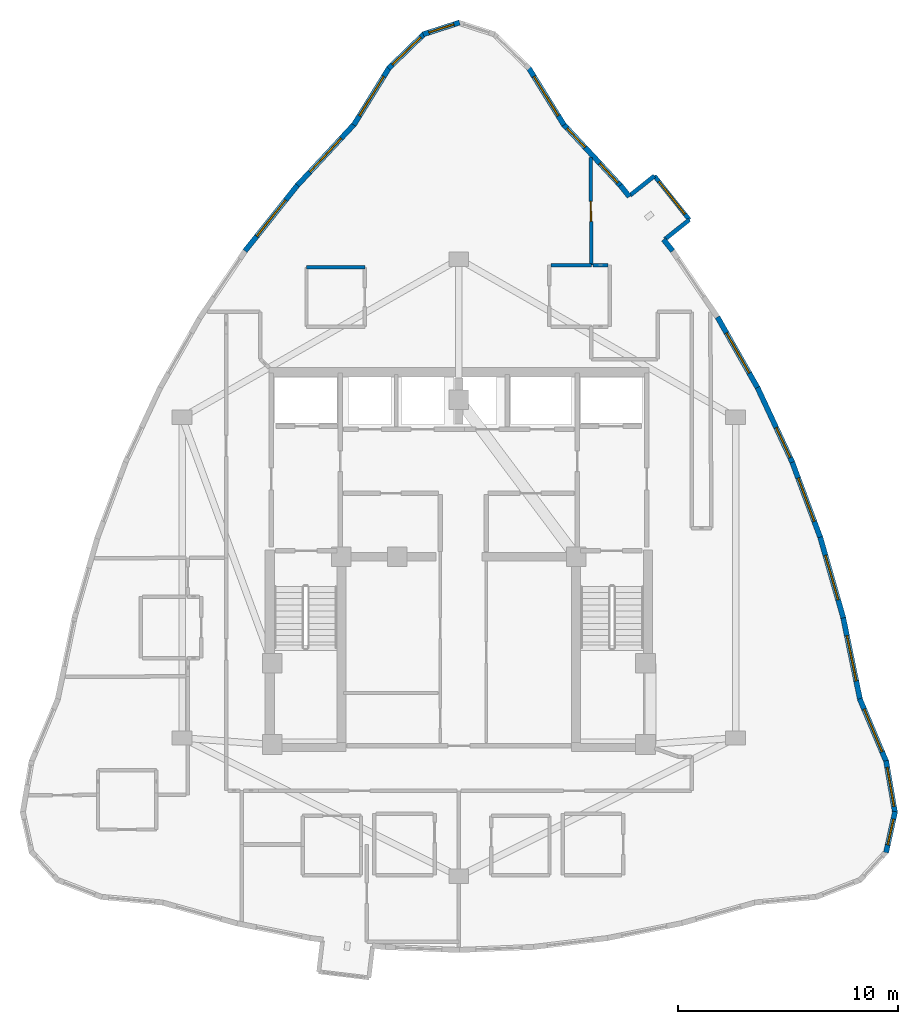
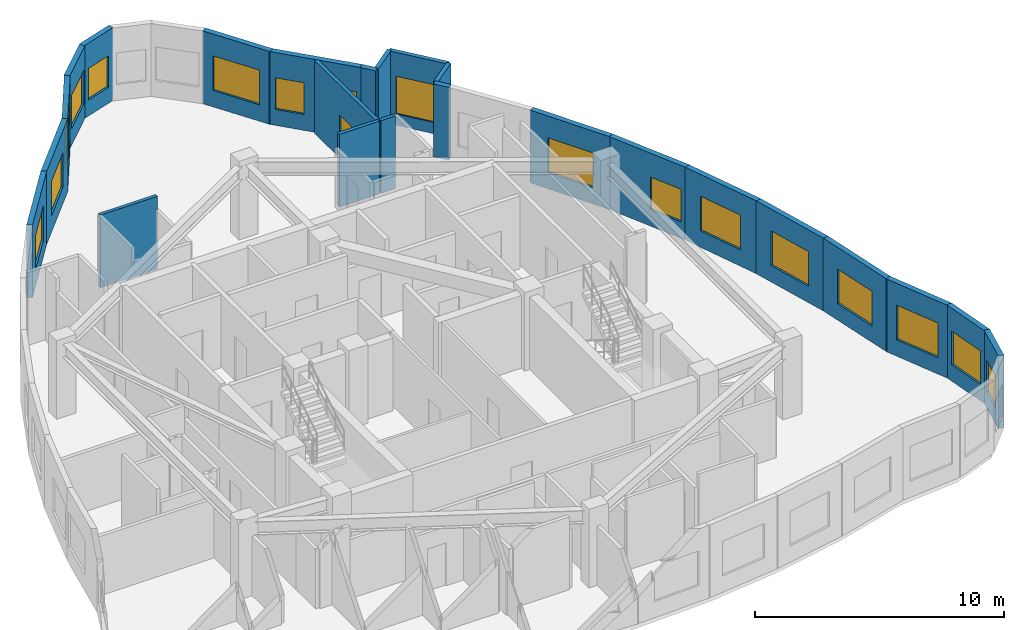
# One storey, part 11 of 13: 24 walls, 17 windows, 1 door, 18 openings.
"""IFC4 building model written with IfcOpenShell, lengths in metres."""

from ifc_helpers import new_model, si_unit, direction, frame, frame_2d, origin, place, context, subcontext, project, spatial, rectangle, extrude, material, layer, layer_set, type_object, element, fill, save


model = new_model("IFC4")

# Units and contexts
model_context = context("Model", 3, precision=1e-05, world=origin(), true_north=direction((0.0, 1.0)))
body_context = subcontext(model_context, "Body", "Model", "MODEL_VIEW")
ifc_project = project(units=[si_unit("LENGTHUNIT", "METRE"), si_unit("AREAUNIT", "SQUARE_METRE"), si_unit("VOLUMEUNIT", "CUBIC_METRE"), si_unit("PLANEANGLEUNIT", "RADIAN"), si_unit("MASSUNIT", "GRAM", prefix="KILO")], contexts=[model_context])

# Site, building, storey
site_placement = place(None, origin())
site = spatial("IfcSite", under=ifc_project, at=site_placement, CompositionType="ELEMENT")
building_placement = place(site_placement, origin())
building = spatial("IfcBuilding", under=site, at=building_placement, Name="Miruveldt Soraemaru", CompositionType="ELEMENT")
storey_placement = place(building_placement, frame((0.0, 0.0, 255.85009765625)))
storey = spatial("IfcBuildingStorey", under=building, at=storey_placement, Name="L70", CompositionType="ELEMENT", Elevation=255.85009765625)

# Walls
ifc_material_1 = material(Name="White powder-coated aluminium EN AW-6060 T6", Category="aluminium")
ifc_layer_1 = layer(ifc_material_1, 0.18994140625, Name="White powder-coated aluminium EN AW-6060 T6", Category="aluminium")
ifc_layer_set_1 = layer_set([ifc_layer_1], Name="White powder-coated aluminium EN AW-6060 T6")
wall_type_1 = type_object("IfcWallType", Name="WALL-BAY-ALU190", PredefinedType="SOLIDWALL", material=ifc_layer_set_1)
for number, where, z_axis, x_axis, name in (
    (1, (53.3828125, 58.5087890625, 0.0), (0.0, 0.0, 1.0), (0.781820714191, 0.623503304611, 0.0), "L70 Bay Window Side Cheek 2L"),
    (2, (52.904296875, 61.393798828125, 0.0), (0.0, 0.0, 1.0), (-0.781820714191, -0.623503304611, 0.0), "L70 Bay Window Side Cheek 2R"),
):
    element("IfcWall", number, at=place(storey_placement, frame(where, z_axis=z_axis, x_axis=x_axis)), inside=storey, type_object=wall_type_1, Name=name, PredefinedType="SOLIDWALL", context=body_context, shape_type="SweptSolid", body=[
        extrude(rectangle(XDim=1.4248046875, YDim=0.18994140625, at=frame_2d((0.71240234375, 0.0))), origin(), (0.0, 0.0, 1.0), 3.56494140625),
    ])

# Wall, opening, window
wall_1_placement = place(storey_placement, frame((54.496826171875, 59.397216796875, 0.0), z_axis=(0.0, 0.0, 1.0), x_axis=(-0.623563578344, 0.781772641989, 0.0)))
wall_1 = element("IfcWall", 3, at=wall_1_placement, inside=storey, type_object=wall_type_1, Name="L70 Bay Window Front Frame 2", PredefinedType="SOLIDWALL", context=body_context, shape_type="SweptSolid", body=[
    extrude(rectangle(XDim=2.553955078125, YDim=0.18994140625, at=frame_2d((1.27685546875, 0.0))), origin(), (0.0, 0.0, 1.0), 3.56494140625),
])
opening_1_placement = place(wall_1_placement, frame((0.326904296875, 0.0, 0.550048828125)))
opening_1 = element("IfcOpeningElement", 4, at=opening_1_placement, cuts=wall_1, Name="Opening WN-6", PredefinedType="OPENING", context=body_context, shape_type="SweptSolid", body=[
    extrude(rectangle(XDim=1.89990234375, YDim=1.85009765625, at=frame_2d((0.949951171875, 0.925048828125))), frame((0.0, 0.10498046875, 0.0), z_axis=(0.0, -1.0, 0.0), x_axis=(1.0, 0.0, 0.0)), (0.0, 0.0, 1.0), 0.2099609375),
])
ifc_material_2 = material(Name="Triple low-e insulated glazing", Category="glass")
window_type_1 = type_object("IfcWindowType", Name="WIN-BAYW-1900x1850", PartitioningType="SINGLE_PANEL", PredefinedType="WINDOW", material=ifc_material_2)
window_1_placement = place(opening_1_placement, origin())
window_1 = element("IfcWindow", 5, at=window_1_placement, inside=storey, type_object=window_type_1, Name="L70 Projecting Bay Window 2", OverallHeight=1.85009765625, OverallWidth=1.89990234375, PartitioningType="SINGLE_PANEL", PredefinedType="WINDOW", context=body_context, shape_type="SweptSolid", body=[
    extrude(rectangle(XDim=1.89990234375, YDim=1.85009765625, at=frame_2d((0.949951171875, 0.925048828125))), frame((0.0, 0.030029296875, 0.0), z_axis=(0.0, -1.0, 0.0), x_axis=(1.0, 0.0, 0.0)), (0.0, 0.0, 1.0), 0.06005859375),
])
fill(opening_1, window_1)

ifc_material_3 = material(Name="Precast concrete C45/55 (45 MPa)", Category="concrete")
ifc_layer_2 = layer(ifc_material_3, 0.239990234375, Name="Precast concrete C45/55 (45 MPa)", Category="concrete")
ifc_layer_set_2 = layer_set([ifc_layer_2], Name="Precast concrete C45/55 (45 MPa)")
wall_type_2 = type_object("IfcWallType", Name="WALL-EXT-PC240", PredefinedType="SOLIDWALL", material=ifc_layer_set_2)
wall_2_placement = place(storey_placement, frame((48.786865234375, 63.7119140625, 0.0), z_axis=(0.0, 0.0, 1.0), x_axis=(-0.52607453674, 0.850438464437, 0.0)))
wall_2 = element("IfcWall", 6, at=wall_2_placement, inside=storey, type_object=wall_type_2, Name="L70 Precast Concrete Facade Wall 1", PredefinedType="SOLIDWALL", context=body_context, shape_type="SweptSolid", body=[
    extrude(rectangle(XDim=3.09130859375, YDim=0.239990234375, at=frame_2d((1.545654296875, 0.0))), origin(), (0.0, 0.0, 1.0), 3.56494140625),
])
opening_2_placement = place(wall_2_placement, frame((0.49609375, 0.0, 0.800048828125)))
opening_2 = element("IfcOpeningElement", 7, at=opening_2_placement, cuts=wall_2, Name="Opening WN-1", PredefinedType="OPENING", context=body_context, shape_type="SweptSolid", body=[
    extrude(rectangle(XDim=2.10009765625, YDim=1.699951171875, at=frame_2d((1.050048828125, 0.85009765625))), frame((0.0, 0.1298828125, 0.0), z_axis=(0.0, -1.0, 0.0), x_axis=(1.0, 0.0, 0.0)), (0.0, 0.0, 1.0), 0.260009765625),
])
window_type_2 = type_object("IfcWindowType", Name="WIN-PUNCH-2100x1700", PartitioningType="SINGLE_PANEL", PredefinedType="WINDOW", material=ifc_material_2)
window_2_placement = place(opening_2_placement, origin())
window_2 = element("IfcWindow", 8, at=window_2_placement, inside=storey, type_object=window_type_2, Name="L70 Punched Triple-Glazed Window 01.1", OverallHeight=1.699951171875, OverallWidth=2.10009765625, PartitioningType="SINGLE_PANEL", PredefinedType="WINDOW", context=body_context, shape_type="SweptSolid", body=[
    extrude(rectangle(XDim=2.10009765625, YDim=1.699951171875, at=frame_2d((1.050048828125, 0.85009765625))), frame((0.0, 0.030029296875, 0.0), z_axis=(0.0, -1.0, 0.0), x_axis=(1.0, 0.0, 0.0)), (0.0, 0.0, 1.0), 0.06005859375),
])
fill(opening_2, window_2)

wall_3_placement = place(storey_placement, frame((44.033203125, 68.377685546875, 0.0), z_axis=(0.0, 0.0, 1.0), x_axis=(-0.951465057443, -0.307756794343, 0.0)))
wall_3 = element("IfcWall", 9, at=wall_3_placement, inside=storey, type_object=wall_type_2, Name="L70 Precast Concrete Facade Wall 4", PredefinedType="SOLIDWALL", context=body_context, shape_type="SweptSolid", body=[
    extrude(rectangle(XDim=1.740478515625, YDim=0.239990234375, at=frame_2d((0.8701171875, 0.0))), origin(), (0.0, 0.0, 1.0), 3.56494140625),
])
opening_3_placement = place(wall_3_placement, frame((0.27001953125, 0.0, 0.780029296875)))
opening_3 = element("IfcOpeningElement", 10, at=opening_3_placement, cuts=wall_3, Name="Opening WN-4", PredefinedType="OPENING", context=body_context, shape_type="SweptSolid", body=[
    extrude(rectangle(XDim=1.199951171875, YDim=1.550048828125, at=frame_2d((0.60009765625, 0.77490234375))), frame((0.0, 0.1298828125, 0.0), z_axis=(0.0, -1.0, 0.0), x_axis=(1.0, 0.0, 0.0)), (0.0, 0.0, 1.0), 0.260009765625),
])
window_type_3 = type_object("IfcWindowType", Name="WIN-PUNCH-1200x1550", PartitioningType="SINGLE_PANEL", PredefinedType="WINDOW", material=ifc_material_2)
window_3_placement = place(opening_3_placement, origin())
window_3 = element("IfcWindow", 11, at=window_3_placement, inside=storey, type_object=window_type_3, Name="L70 Punched Triple-Glazed Window 04.1", OverallHeight=1.550048828125, OverallWidth=1.199951171875, PartitioningType="SINGLE_PANEL", PredefinedType="WINDOW", context=body_context, shape_type="SweptSolid", body=[
    extrude(rectangle(XDim=1.199951171875, YDim=1.550048828125, at=frame_2d((0.60009765625, 0.77490234375))), frame((0.0, 0.030029296875, 0.0), z_axis=(0.0, -1.0, 0.0), x_axis=(1.0, 0.0, 0.0)), (0.0, 0.0, 1.0), 0.06005859375),
])
fill(opening_3, window_3)

wall_4_placement = place(storey_placement, frame((42.435546875, 67.877197265625, 0.0), z_axis=(0.0, 0.0, 1.0), x_axis=(-0.717766041492, -0.696284359785, 0.0)))
wall_4 = element("IfcWall", 12, at=wall_4_placement, inside=storey, type_object=wall_type_2, Name="L70 Precast Concrete Facade Wall 5", PredefinedType="SOLIDWALL", context=body_context, shape_type="SweptSolid", body=[
    extrude(rectangle(XDim=2.284423828125, YDim=0.239990234375, at=frame_2d((1.14208984375, 0.0))), origin(), (0.0, 0.0, 1.0), 3.56494140625),
])
opening_4_placement = place(wall_4_placement, frame((0.241943359375, 0.0, 0.800048828125)))
opening_4 = element("IfcOpeningElement", 13, at=opening_4_placement, cuts=wall_4, Name="Opening WN-2", PredefinedType="OPENING", context=body_context, shape_type="SweptSolid", body=[
    extrude(rectangle(XDim=1.800048828125, YDim=1.64990234375, at=frame_2d((0.89990234375, 0.824951171875))), frame((0.0, 0.1298828125, 0.0), z_axis=(0.0, -1.0, 0.0), x_axis=(1.0, 0.0, 0.0)), (0.0, 0.0, 1.0), 0.260009765625),
])
window_type_4 = type_object("IfcWindowType", Name="WIN-PUNCH-1800x1650", PartitioningType="SINGLE_PANEL", PredefinedType="WINDOW", material=ifc_material_2)
window_4_placement = place(opening_4_placement, origin())
window_4 = element("IfcWindow", 14, at=window_4_placement, inside=storey, type_object=window_type_4, Name="L70 Punched Triple-Glazed Window 05.1", OverallHeight=1.64990234375, OverallWidth=1.800048828125, PartitioningType="SINGLE_PANEL", PredefinedType="WINDOW", context=body_context, shape_type="SweptSolid", body=[
    extrude(rectangle(XDim=1.800048828125, YDim=1.64990234375, at=frame_2d((0.89990234375, 0.824951171875))), frame((0.0, 0.030029296875, 0.0), z_axis=(0.0, -1.0, 0.0), x_axis=(1.0, 0.0, 0.0)), (0.0, 0.0, 1.0), 0.06005859375),
])
fill(opening_4, window_4)

wall_5_placement = place(storey_placement, frame((40.83935546875, 66.3408203125, 0.0), z_axis=(0.0, 0.0, 1.0), x_axis=(-0.52607453674, -0.850438464437, 0.0)))
wall_5 = element("IfcWall", 15, at=wall_5_placement, inside=storey, type_object=wall_type_2, Name="L70 Precast Concrete Facade Wall 6", PredefinedType="SOLIDWALL", context=body_context, shape_type="SweptSolid", body=[
    extrude(rectangle(XDim=3.09130859375, YDim=0.239990234375, at=frame_2d((1.545654296875, 0.0))), origin(), (0.0, 0.0, 1.0), 3.56494140625),
])
opening_5_placement = place(wall_5_placement, frame((0.49609375, 0.0, 0.800048828125)))
opening_5 = element("IfcOpeningElement", 16, at=opening_5_placement, cuts=wall_5, Name="Opening WN-1", PredefinedType="OPENING", context=body_context, shape_type="SweptSolid", body=[
    extrude(rectangle(XDim=2.10009765625, YDim=1.699951171875, at=frame_2d((1.050048828125, 0.85009765625))), frame((0.0, 0.1298828125, 0.0), z_axis=(0.0, -1.0, 0.0), x_axis=(1.0, 0.0, 0.0)), (0.0, 0.0, 1.0), 0.260009765625),
])
window_5_placement = place(opening_5_placement, origin())
window_5 = element("IfcWindow", 17, at=window_5_placement, inside=storey, type_object=window_type_2, Name="L70 Punched Triple-Glazed Window 06.1", OverallHeight=1.699951171875, OverallWidth=2.10009765625, PartitioningType="SINGLE_PANEL", PredefinedType="WINDOW", context=body_context, shape_type="SweptSolid", body=[
    extrude(rectangle(XDim=2.10009765625, YDim=1.699951171875, at=frame_2d((1.050048828125, 0.85009765625))), frame((0.0, 0.030029296875, 0.0), z_axis=(0.0, -1.0, 0.0), x_axis=(1.0, 0.0, 0.0)), (0.0, 0.0, 1.0), 0.06005859375),
])
fill(opening_5, window_5)

wall_6_placement = place(storey_placement, frame((39.25537109375, 63.76708984375, 0.0), z_axis=(0.0, 0.0, 1.0), x_axis=(-0.68090304279, -0.732373570194, 0.0)))
wall_6 = element("IfcWall", 18, at=wall_6_placement, inside=storey, type_object=wall_type_2, Name="L70 Precast Concrete Facade Wall 7", PredefinedType="SOLIDWALL", context=body_context, shape_type="SweptSolid", body=[
    extrude(rectangle(XDim=3.894287109375, YDim=0.239990234375, at=frame_2d((1.947265625, 0.0))), origin(), (0.0, 0.0, 1.0), 3.56494140625),
])
opening_6_placement = place(wall_6_placement, frame((0.89697265625, 0.0, 0.800048828125)))
opening_6 = element("IfcOpeningElement", 19, at=opening_6_placement, cuts=wall_6, Name="Opening WN-1", PredefinedType="OPENING", context=body_context, shape_type="SweptSolid", body=[
    extrude(rectangle(XDim=2.10009765625, YDim=1.699951171875, at=frame_2d((1.050048828125, 0.85009765625))), frame((0.0, 0.1298828125, 0.0), z_axis=(0.0, -1.0, 0.0), x_axis=(1.0, 0.0, 0.0)), (0.0, 0.0, 1.0), 0.260009765625),
])
window_6_placement = place(opening_6_placement, origin())
window_6 = element("IfcWindow", 20, at=window_6_placement, inside=storey, type_object=window_type_2, Name="L70 Punched Triple-Glazed Window 07.1", OverallHeight=1.699951171875, OverallWidth=2.10009765625, PartitioningType="SINGLE_PANEL", PredefinedType="WINDOW", context=body_context, shape_type="SweptSolid", body=[
    extrude(rectangle(XDim=2.10009765625, YDim=1.699951171875, at=frame_2d((1.050048828125, 0.85009765625))), frame((0.0, 0.030029296875, 0.0), z_axis=(0.0, -1.0, 0.0), x_axis=(1.0, 0.0, 0.0)), (0.0, 0.0, 1.0), 0.06005859375),
])
fill(opening_6, window_6)

wall_7_placement = place(storey_placement, frame((36.6494140625, 60.968017578125, 0.0), z_axis=(0.0, 0.0, 1.0), x_axis=(-0.623604906823, -0.781739675459, 0.0)))
wall_7 = element("IfcWall", 21, at=wall_7_placement, inside=storey, type_object=wall_type_2, Name="L70 Precast Concrete Facade Wall 8", PredefinedType="SOLIDWALL", context=body_context, shape_type="SweptSolid", body=[
    extrude(rectangle(XDim=3.82568359375, YDim=0.239990234375, at=frame_2d((1.912841796875, 0.0))), origin(), (0.0, 0.0, 1.0), 3.56494140625),
])
opening_7_placement = place(wall_7_placement, frame((0.863037109375, 0.0, 0.800048828125)))
opening_7 = element("IfcOpeningElement", 22, at=opening_7_placement, cuts=wall_7, Name="Opening WN-1", PredefinedType="OPENING", context=body_context, shape_type="SweptSolid", body=[
    extrude(rectangle(XDim=2.10009765625, YDim=1.699951171875, at=frame_2d((1.050048828125, 0.85009765625))), frame((0.0, 0.1298828125, 0.0), z_axis=(0.0, -1.0, 0.0), x_axis=(1.0, 0.0, 0.0)), (0.0, 0.0, 1.0), 0.260009765625),
])
window_7_placement = place(opening_7_placement, origin())
window_7 = element("IfcWindow", 23, at=window_7_placement, inside=storey, type_object=window_type_2, Name="L70 Punched Triple-Glazed Window 08.1", OverallHeight=1.699951171875, OverallWidth=2.10009765625, PartitioningType="SINGLE_PANEL", PredefinedType="WINDOW", context=body_context, shape_type="SweptSolid", body=[
    extrude(rectangle(XDim=2.10009765625, YDim=1.699951171875, at=frame_2d((1.050048828125, 0.85009765625))), frame((0.0, 0.030029296875, 0.0), z_axis=(0.0, -1.0, 0.0), x_axis=(1.0, 0.0, 0.0)), (0.0, 0.0, 1.0), 0.06005859375),
])
fill(opening_7, window_7)

wall_8_placement = place(storey_placement, frame((63.452392578125, 30.58251953125, 0.0), z_axis=(0.0, 0.0, 1.0), x_axis=(0.215794628874, 0.976438773374, 0.0)))
wall_8 = element("IfcWall", 24, at=wall_8_placement, inside=storey, type_object=wall_type_2, Name="L70 Precast Concrete Facade Wall 32", PredefinedType="SOLIDWALL", context=body_context, shape_type="SweptSolid", body=[
    extrude(rectangle(XDim=1.912109375, YDim=0.239990234375, at=frame_2d((0.9560546875, 0.0))), origin(), (0.0, 0.0, 1.0), 3.56494140625),
])
opening_8_placement = place(wall_8_placement, frame((0.35595703125, 0.0, 0.780029296875)))
opening_8 = element("IfcOpeningElement", 25, at=opening_8_placement, cuts=wall_8, Name="Opening WN-4", PredefinedType="OPENING", context=body_context, shape_type="SweptSolid", body=[
    extrude(rectangle(XDim=1.199951171875, YDim=1.550048828125, at=frame_2d((0.60009765625, 0.77490234375))), frame((0.0, 0.1298828125, 0.0), z_axis=(0.0, -1.0, 0.0), x_axis=(1.0, 0.0, 0.0)), (0.0, 0.0, 1.0), 0.260009765625),
])
window_8_placement = place(opening_8_placement, origin())
window_8 = element("IfcWindow", 26, at=window_8_placement, inside=storey, type_object=window_type_3, Name="L70 Punched Triple-Glazed Window 32.1", OverallHeight=1.550048828125, OverallWidth=1.199951171875, PartitioningType="SINGLE_PANEL", PredefinedType="WINDOW", context=body_context, shape_type="SweptSolid", body=[
    extrude(rectangle(XDim=1.199951171875, YDim=1.550048828125, at=frame_2d((0.60009765625, 0.77490234375))), frame((0.0, 0.030029296875, 0.0), z_axis=(0.0, -1.0, 0.0), x_axis=(1.0, 0.0, 0.0)), (0.0, 0.0, 1.0), 0.06005859375),
])
fill(opening_8, window_8)

wall_9_placement = place(storey_placement, frame((63.86328125, 32.380859375, 0.0), z_axis=(0.0, 0.0, 1.0), x_axis=(-0.169328349246, 0.98555969385, 0.0)))
wall_9 = element("IfcWall", 27, at=wall_9_placement, inside=storey, type_object=wall_type_2, Name="L70 Precast Concrete Facade Wall 33", PredefinedType="SOLIDWALL", context=body_context, shape_type="SweptSolid", body=[
    extrude(rectangle(XDim=2.41650390625, YDim=0.239990234375, at=frame_2d((1.208251953125, 0.0))), origin(), (0.0, 0.0, 1.0), 3.56494140625),
])
opening_9_placement = place(wall_9_placement, frame((0.30810546875, 0.0, 0.800048828125)))
opening_9 = element("IfcOpeningElement", 28, at=opening_9_placement, cuts=wall_9, Name="Opening WN-2", PredefinedType="OPENING", context=body_context, shape_type="SweptSolid", body=[
    extrude(rectangle(XDim=1.800048828125, YDim=1.64990234375, at=frame_2d((0.89990234375, 0.824951171875))), frame((0.0, 0.1298828125, 0.0), z_axis=(0.0, -1.0, 0.0), x_axis=(1.0, 0.0, 0.0)), (0.0, 0.0, 1.0), 0.260009765625),
])
window_9_placement = place(opening_9_placement, origin())
window_9 = element("IfcWindow", 29, at=window_9_placement, inside=storey, type_object=window_type_4, Name="L70 Punched Triple-Glazed Window 33.1", OverallHeight=1.64990234375, OverallWidth=1.800048828125, PartitioningType="SINGLE_PANEL", PredefinedType="WINDOW", context=body_context, shape_type="SweptSolid", body=[
    extrude(rectangle(XDim=1.800048828125, YDim=1.64990234375, at=frame_2d((0.89990234375, 0.824951171875))), frame((0.0, 0.030029296875, 0.0), z_axis=(0.0, -1.0, 0.0), x_axis=(1.0, 0.0, 0.0)), (0.0, 0.0, 1.0), 0.06005859375),
])
fill(opening_9, window_9)

wall_10_placement = place(storey_placement, frame((63.473388671875, 34.69580078125, 0.0), z_axis=(0.0, 0.0, 1.0), x_axis=(-0.388606577421, 0.921403781187, 0.0)))
wall_10 = element("IfcWall", 30, at=wall_10_placement, inside=storey, type_object=wall_type_2, Name="L70 Precast Concrete Facade Wall 34", PredefinedType="SOLIDWALL", context=body_context, shape_type="SweptSolid", body=[
    extrude(rectangle(XDim=3.137451171875, YDim=0.239990234375, at=frame_2d((1.56884765625, 0.0))), origin(), (0.0, 0.0, 1.0), 3.56494140625),
])
opening_10_placement = place(wall_10_placement, frame((0.51904296875, 0.0, 0.800048828125)))
opening_10 = element("IfcOpeningElement", 31, at=opening_10_placement, cuts=wall_10, Name="Opening WN-1", PredefinedType="OPENING", context=body_context, shape_type="SweptSolid", body=[
    extrude(rectangle(XDim=2.10009765625, YDim=1.699951171875, at=frame_2d((1.050048828125, 0.85009765625))), frame((0.0, 0.1298828125, 0.0), z_axis=(0.0, -1.0, 0.0), x_axis=(1.0, 0.0, 0.0)), (0.0, 0.0, 1.0), 0.260009765625),
])
window_10_placement = place(opening_10_placement, origin())
window_10 = element("IfcWindow", 32, at=window_10_placement, inside=storey, type_object=window_type_2, Name="L70 Punched Triple-Glazed Window 34.1", OverallHeight=1.699951171875, OverallWidth=2.10009765625, PartitioningType="SINGLE_PANEL", PredefinedType="WINDOW", context=body_context, shape_type="SweptSolid", body=[
    extrude(rectangle(XDim=2.10009765625, YDim=1.699951171875, at=frame_2d((1.050048828125, 0.85009765625))), frame((0.0, 0.030029296875, 0.0), z_axis=(0.0, -1.0, 0.0), x_axis=(1.0, 0.0, 0.0)), (0.0, 0.0, 1.0), 0.06005859375),
])
fill(opening_10, window_10)

wall_11_placement = place(storey_placement, frame((62.27490234375, 37.52001953125, 0.0), z_axis=(0.0, 0.0, 1.0), x_axis=(-0.201598089636, 0.979468330399, 0.0)))
wall_11 = element("IfcWall", 33, at=wall_11_placement, inside=storey, type_object=wall_type_2, Name="L70 Precast Concrete Facade Wall 35", PredefinedType="SOLIDWALL", context=body_context, shape_type="SweptSolid", body=[
    extrude(rectangle(XDim=3.894775390625, YDim=0.239990234375, at=frame_2d((1.947265625, 0.0))), origin(), (0.0, 0.0, 1.0), 3.56494140625),
])
opening_11_placement = place(wall_11_placement, frame((0.89697265625, 0.0, 0.800048828125)))
opening_11 = element("IfcOpeningElement", 34, at=opening_11_placement, cuts=wall_11, Name="Opening WN-1", PredefinedType="OPENING", context=body_context, shape_type="SweptSolid", body=[
    extrude(rectangle(XDim=2.10009765625, YDim=1.699951171875, at=frame_2d((1.050048828125, 0.85009765625))), frame((0.0, 0.1298828125, 0.0), z_axis=(0.0, -1.0, 0.0), x_axis=(1.0, 0.0, 0.0)), (0.0, 0.0, 1.0), 0.260009765625),
])
window_11_placement = place(opening_11_placement, origin())
window_11 = element("IfcWindow", 35, at=window_11_placement, inside=storey, type_object=window_type_2, Name="L70 Punched Triple-Glazed Window 35.1", OverallHeight=1.699951171875, OverallWidth=2.10009765625, PartitioningType="SINGLE_PANEL", PredefinedType="WINDOW", context=body_context, shape_type="SweptSolid", body=[
    extrude(rectangle(XDim=2.10009765625, YDim=1.699951171875, at=frame_2d((1.050048828125, 0.85009765625))), frame((0.0, 0.030029296875, 0.0), z_axis=(0.0, -1.0, 0.0), x_axis=(1.0, 0.0, 0.0)), (0.0, 0.0, 1.0), 0.06005859375),
])
fill(opening_11, window_11)

wall_12_placement = place(storey_placement, frame((61.506591796875, 41.2666015625, 0.0), z_axis=(0.0, 0.0, 1.0), x_axis=(-0.274982401426, 0.961449259663, 0.0)))
wall_12 = element("IfcWall", 36, at=wall_12_placement, inside=storey, type_object=wall_type_2, Name="L70 Precast Concrete Facade Wall 36", PredefinedType="SOLIDWALL", context=body_context, shape_type="SweptSolid", body=[
    extrude(rectangle(XDim=3.82568359375, YDim=0.239990234375, at=frame_2d((1.912841796875, 0.0))), origin(), (0.0, 0.0, 1.0), 3.56494140625),
])
opening_12_placement = place(wall_12_placement, frame((0.863037109375, 0.0, 0.800048828125)))
opening_12 = element("IfcOpeningElement", 37, at=opening_12_placement, cuts=wall_12, Name="Opening WN-1", PredefinedType="OPENING", context=body_context, shape_type="SweptSolid", body=[
    extrude(rectangle(XDim=2.10009765625, YDim=1.699951171875, at=frame_2d((1.050048828125, 0.85009765625))), frame((0.0, 0.1298828125, 0.0), z_axis=(0.0, -1.0, 0.0), x_axis=(1.0, 0.0, 0.0)), (0.0, 0.0, 1.0), 0.260009765625),
])
window_12_placement = place(opening_12_placement, origin())
window_12 = element("IfcWindow", 38, at=window_12_placement, inside=storey, type_object=window_type_2, Name="L70 Punched Triple-Glazed Window 36.1", OverallHeight=1.699951171875, OverallWidth=2.10009765625, PartitioningType="SINGLE_PANEL", PredefinedType="WINDOW", context=body_context, shape_type="SweptSolid", body=[
    extrude(rectangle(XDim=2.10009765625, YDim=1.699951171875, at=frame_2d((1.050048828125, 0.85009765625))), frame((0.0, 0.030029296875, 0.0), z_axis=(0.0, -1.0, 0.0), x_axis=(1.0, 0.0, 0.0)), (0.0, 0.0, 1.0), 0.06005859375),
])
fill(opening_12, window_12)

wall_13_placement = place(storey_placement, frame((60.476318359375, 44.87841796875, 0.0), z_axis=(0.0, 0.0, 1.0), x_axis=(-0.348984438281, 0.937128519381, 0.0)))
wall_13 = element("IfcWall", 39, at=wall_13_placement, inside=storey, type_object=wall_type_2, Name="L70 Precast Concrete Facade Wall 37", PredefinedType="SOLIDWALL", context=body_context, shape_type="SweptSolid", body=[
    extrude(rectangle(XDim=3.779052734375, YDim=0.239990234375, at=frame_2d((1.8896484375, 0.0))), origin(), (0.0, 0.0, 1.0), 3.56494140625),
])
opening_13_placement = place(wall_13_placement, frame((0.840087890625, 0.0, 0.800048828125)))
opening_13 = element("IfcOpeningElement", 40, at=opening_13_placement, cuts=wall_13, Name="Opening WN-1", PredefinedType="OPENING", context=body_context, shape_type="SweptSolid", body=[
    extrude(rectangle(XDim=2.10009765625, YDim=1.699951171875, at=frame_2d((1.050048828125, 0.85009765625))), frame((0.0, 0.1298828125, 0.0), z_axis=(0.0, -1.0, 0.0), x_axis=(1.0, 0.0, 0.0)), (0.0, 0.0, 1.0), 0.260009765625),
])
window_13_placement = place(opening_13_placement, origin())
window_13 = element("IfcWindow", 41, at=window_13_placement, inside=storey, type_object=window_type_2, Name="L70 Punched Triple-Glazed Window 37.1", OverallHeight=1.699951171875, OverallWidth=2.10009765625, PartitioningType="SINGLE_PANEL", PredefinedType="WINDOW", context=body_context, shape_type="SweptSolid", body=[
    extrude(rectangle(XDim=2.10009765625, YDim=1.699951171875, at=frame_2d((1.050048828125, 0.85009765625))), frame((0.0, 0.030029296875, 0.0), z_axis=(0.0, -1.0, 0.0), x_axis=(1.0, 0.0, 0.0)), (0.0, 0.0, 1.0), 0.06005859375),
])
fill(opening_13, window_13)

wall_14_placement = place(storey_placement, frame((59.184326171875, 48.355224609375, 0.0), z_axis=(0.0, 0.0, 1.0), x_axis=(-0.422287495825, 0.906461952246, 0.0)))
wall_14 = element("IfcWall", 42, at=wall_14_placement, inside=storey, type_object=wall_type_2, Name="L70 Precast Concrete Facade Wall 38", PredefinedType="SOLIDWALL", context=body_context, shape_type="SweptSolid", body=[
    extrude(rectangle(XDim=3.755615234375, YDim=0.239990234375, at=frame_2d((1.8779296875, 0.0))), origin(), (0.0, 0.0, 1.0), 3.56494140625),
])
opening_14_placement = place(wall_14_placement, frame((0.237060546875, 0.0, 0.800048828125)))
opening_14 = element("IfcOpeningElement", 43, at=opening_14_placement, cuts=wall_14, Name="Opening WN-3", PredefinedType="OPENING", context=body_context, shape_type="SweptSolid", body=[
    extrude(rectangle(XDim=1.5, YDim=1.60009765625, at=frame_2d((0.75, 0.800048828125))), frame((0.0, 0.1298828125, 0.0), z_axis=(0.0, -1.0, 0.0), x_axis=(1.0, 0.0, 0.0)), (0.0, 0.0, 1.0), 0.260009765625),
])
window_type_5 = type_object("IfcWindowType", Name="WIN-PUNCH-1500x1600", PartitioningType="SINGLE_PANEL", PredefinedType="WINDOW", material=ifc_material_2)
window_14_placement = place(opening_14_placement, origin())
window_14 = element("IfcWindow", 44, at=window_14_placement, inside=storey, type_object=window_type_5, Name="L70 Punched Triple-Glazed Window 38.1", OverallHeight=1.60009765625, OverallWidth=1.5, PartitioningType="SINGLE_PANEL", PredefinedType="WINDOW", context=body_context, shape_type="SweptSolid", body=[
    extrude(rectangle(XDim=1.5, YDim=1.60009765625, at=frame_2d((0.75, 0.800048828125))), frame((0.0, 0.030029296875, 0.0), z_axis=(0.0, -1.0, 0.0), x_axis=(1.0, 0.0, 0.0)), (0.0, 0.0, 1.0), 0.06005859375),
])
fill(opening_14, window_14)

wall_15_placement = place(storey_placement, frame((57.63037109375, 51.697509765625, 0.0), z_axis=(0.0, 0.0, 1.0), x_axis=(-0.493356990669, 0.869826925174, 0.0)))
wall_15 = element("IfcWall", 45, at=wall_15_placement, inside=storey, type_object=wall_type_2, Name="L70 Precast Concrete Facade Wall 39", PredefinedType="SOLIDWALL", context=body_context, shape_type="SweptSolid", body=[
    extrude(rectangle(XDim=3.75537109375, YDim=0.239990234375, at=frame_2d((1.877685546875, 0.0))), origin(), (0.0, 0.0, 1.0), 3.56494140625),
])
opening_15_placement = place(wall_15_placement, frame((0.827880859375, 0.0, 0.800048828125)))
opening_15 = element("IfcOpeningElement", 46, at=opening_15_placement, cuts=wall_15, Name="Opening WN-1", PredefinedType="OPENING", context=body_context, shape_type="SweptSolid", body=[
    extrude(rectangle(XDim=2.10009765625, YDim=1.699951171875, at=frame_2d((1.050048828125, 0.85009765625))), frame((0.0, 0.1298828125, 0.0), z_axis=(0.0, -1.0, 0.0), x_axis=(1.0, 0.0, 0.0)), (0.0, 0.0, 1.0), 0.260009765625),
])
window_15_placement = place(opening_15_placement, origin())
window_15 = element("IfcWindow", 47, at=window_15_placement, inside=storey, type_object=window_type_2, Name="L70 Punched Triple-Glazed Window 39.1", OverallHeight=1.699951171875, OverallWidth=2.10009765625, PartitioningType="SINGLE_PANEL", PredefinedType="WINDOW", context=body_context, shape_type="SweptSolid", body=[
    extrude(rectangle(XDim=2.10009765625, YDim=1.699951171875, at=frame_2d((1.050048828125, 0.85009765625))), frame((0.0, 0.030029296875, 0.0), z_axis=(0.0, -1.0, 0.0), x_axis=(1.0, 0.0, 0.0)), (0.0, 0.0, 1.0), 0.06005859375),
])
fill(opening_15, window_15)

# Walls
for number, where, z_axis, x_axis, name in (
    (48, (53.736328125, 57.977294921875, 0.0), (0.0, 0.0, 1.0), (-0.623441993502, 0.781869605969, 0.0), "L70 Precast Pier Wall 41A"),
    (49, (51.765869140625, 60.447509765625, 0.0), (0.0, 0.0, 1.0), (-0.623666106401, 0.781690851761, 0.0), "L70 Precast Pier Wall 41B"),
):
    element("IfcWall", number, at=place(storey_placement, frame(where, z_axis=z_axis, x_axis=x_axis)), inside=storey, type_object=wall_type_2, Name=name, PredefinedType="SOLIDWALL", context=body_context, shape_type="SweptSolid", body=[
        extrude(rectangle(XDim=0.665771484375, YDim=0.239990234375, at=frame_2d((0.3330078125, 0.0))), origin(), (0.0, 0.0, 1.0), 3.56494140625),
    ])

# Wall, openings, windows
wall_16_placement = place(storey_placement, frame((51.396240234375, 60.9150390625, 0.0), z_axis=(0.0, 0.0, 1.0), x_axis=(-0.68090304279, 0.732373570194, 0.0)))
wall_16 = element("IfcWall", 50, at=wall_16_placement, inside=storey, type_object=wall_type_2, Name="L70 Precast Concrete Facade Wall 42", PredefinedType="SOLIDWALL", context=body_context, shape_type="SweptSolid", body=[
    extrude(rectangle(XDim=3.894287109375, YDim=0.239990234375, at=frame_2d((1.947265625, 0.0))), origin(), (0.0, 0.0, 1.0), 3.56494140625),
])
opening_16_placement = place(wall_16_placement, frame((0.237060546875, 0.0, 0.780029296875)))
opening_16 = element("IfcOpeningElement", 51, at=opening_16_placement, cuts=wall_16, Name="Opening WN-4", PredefinedType="OPENING", context=body_context, shape_type="SweptSolid", body=[
    extrude(rectangle(XDim=1.199951171875, YDim=1.550048828125, at=frame_2d((0.60009765625, 0.77490234375))), frame((0.0, 0.1298828125, 0.0), z_axis=(0.0, -1.0, 0.0), x_axis=(1.0, 0.0, 0.0)), (0.0, 0.0, 1.0), 0.260009765625),
])
opening_17_placement = place(wall_16_placement, frame((2.424072265625, 0.0, 0.780029296875)))
opening_17 = element("IfcOpeningElement", 52, at=opening_17_placement, cuts=wall_16, Name="Opening WN-4", PredefinedType="OPENING", context=body_context, shape_type="SweptSolid", body=[
    extrude(rectangle(XDim=1.199951171875, YDim=1.550048828125, at=frame_2d((0.60009765625, 0.77490234375))), frame((0.0, 0.1298828125, 0.0), z_axis=(0.0, -1.0, 0.0), x_axis=(1.0, 0.0, 0.0)), (0.0, 0.0, 1.0), 0.260009765625),
])
window_16_placement = place(opening_16_placement, origin())
window_16 = element("IfcWindow", 53, at=window_16_placement, inside=storey, type_object=window_type_3, Name="L70 Punched Triple-Glazed Window 42.1", OverallHeight=1.550048828125, OverallWidth=1.199951171875, PartitioningType="SINGLE_PANEL", PredefinedType="WINDOW", context=body_context, shape_type="SweptSolid", body=[
    extrude(rectangle(XDim=1.199951171875, YDim=1.550048828125, at=frame_2d((0.60009765625, 0.77490234375))), frame((0.0, 0.030029296875, 0.0), z_axis=(0.0, -1.0, 0.0), x_axis=(1.0, 0.0, 0.0)), (0.0, 0.0, 1.0), 0.06005859375),
])
fill(opening_16, window_16)
window_17_placement = place(opening_17_placement, origin())
window_17 = element("IfcWindow", 54, at=window_17_placement, inside=storey, type_object=window_type_3, Name="L70 Punched Triple-Glazed Window 42.2", OverallHeight=1.550048828125, OverallWidth=1.199951171875, PartitioningType="SINGLE_PANEL", PredefinedType="WINDOW", context=body_context, shape_type="SweptSolid", body=[
    extrude(rectangle(XDim=1.199951171875, YDim=1.550048828125, at=frame_2d((0.60009765625, 0.77490234375))), frame((0.0, 0.030029296875, 0.0), z_axis=(0.0, -1.0, 0.0), x_axis=(1.0, 0.0, 0.0)), (0.0, 0.0, 1.0), 0.06005859375),
])
fill(opening_17, window_17)

# Wall
ifc_material_4 = material(Name="Gypsum plasterboard lining", Category="gypsum")
ifc_layer_3 = layer(ifc_material_4, 0.14990234375, Name="Gypsum plasterboard lining", Category="gypsum")
ifc_layer_set_3 = layer_set([ifc_layer_3], Name="Gypsum plasterboard lining")
wall_type_3 = type_object("IfcWallType", Name="WALL-INT-PLUMB", PredefinedType="PLUMBINGWALL", material=ifc_layer_set_3)
wall_17_placement = place(storey_placement, frame((39.716064453125, 57.22998046875, 0.0), z_axis=(0.0, 0.0, 1.0), x_axis=(-1.0, 0.0, 0.0)))
element("IfcWall", 55, at=wall_17_placement, inside=storey, type_object=wall_type_3, Name="L70 Partition Wall 14", PredefinedType="PLUMBINGWALL", context=body_context, shape_type="SweptSolid", body=[
    extrude(rectangle(XDim=2.650146484375, YDim=0.14990234375, at=frame_2d((1.3251953125, 0.0))), origin(), (0.0, 0.0, 1.0), 3.56494140625),
])

# Wall, opening, door
ifc_material_5 = material(Name="Concrete C40/50 (40 MPa)", Category="concrete")
ifc_layer_4 = layer(ifc_material_5, 0.159912109375, Name="Concrete C40/50 (40 MPa)", Category="concrete")
ifc_layer_set_4 = layer_set([ifc_layer_4], Name="Concrete C40/50 (40 MPa)")
wall_type_4 = type_object("IfcWallType", Name="WALL-INT-RC160", PredefinedType="SOLIDWALL", material=ifc_layer_set_4)
wall_18_placement = place(storey_placement, frame((50.034912109375, 57.330078125, 0.0), z_axis=(0.0, 0.0, 1.0), x_axis=(-0.008131029215, 0.999966942636, 0.0)))
wall_18 = element("IfcWall", 56, at=wall_18_placement, inside=storey, type_object=wall_type_4, Name="L70 Partition Wall 21", PredefinedType="SOLIDWALL", context=body_context, shape_type="SweptSolid", body=[
    extrude(rectangle(XDim=4.894287109375, YDim=0.159912109375, at=frame_2d((2.447265625, 0.0))), origin(), (0.0, 0.0, 1.0), 3.56494140625),
])
opening_18_placement = place(wall_18_placement, frame((1.987060546875, 0.0, 0.0)))
opening_18 = element("IfcOpeningElement", 57, at=opening_18_placement, cuts=wall_18, Name="Opening D3A", PredefinedType="OPENING", context=body_context, shape_type="SweptSolid", body=[
    extrude(rectangle(XDim=0.919921875, YDim=2.10009765625, at=frame_2d((0.4599609375, 1.050048828125))), frame((0.0, 0.08984375, 0.0), z_axis=(0.0, -1.0, 0.0), x_axis=(1.0, 0.0, 0.0)), (0.0, 0.0, 1.0), 0.179931640625),
])
ifc_material_6 = material(Name="Anodised aluminium EN AW-6063 T6", Category="aluminium")
door_type = type_object("IfcDoorType", Name="DOOR-INT-920", OperationType="NOTDEFINED", PredefinedType="DOOR", material=ifc_material_6)
door_placement = place(opening_18_placement, origin())
door = element("IfcDoor", 58, at=door_placement, inside=storey, type_object=door_type, Name="L70 Unit 7001 BD1 Door", OperationType="SINGLE_SWING_RIGHT", OverallHeight=2.10009765625, OverallWidth=0.919921875, PredefinedType="DOOR", context=body_context, shape_type="SweptSolid", body=[
    extrude(rectangle(XDim=0.919921875, YDim=2.10009765625, at=frame_2d((0.4599609375, 1.050048828125))), frame((0.0, 0.02490234375, 0.0), z_axis=(0.0, -1.0, 0.0), x_axis=(1.0, 0.0, 0.0)), (0.0, 0.0, 1.0), 0.050048828125),
])
fill(opening_18, door)

# Walls
wall_19_placement = place(storey_placement, frame((50.044921875, 57.330078125, 0.0), z_axis=(0.0, 0.0, 1.0), x_axis=(-1.0, 0.0, 0.0)))
element("IfcWall", 59, at=wall_19_placement, inside=storey, type_object=wall_type_4, Name="L70 Partition Wall 17", PredefinedType="SOLIDWALL", context=body_context, shape_type="SweptSolid", body=[
    extrude(rectangle(XDim=1.848876953125, YDim=0.159912109375, at=frame_2d((0.92431640625, 0.0))), origin(), (0.0, 0.0, 1.0), 3.56494140625),
])
wall_20_placement = place(storey_placement, frame((50.785888671875, 57.330078125, 0.0), z_axis=(0.0, 0.0, 1.0), x_axis=(-1.0, 0.0, 0.0)))
element("IfcWall", 60, at=wall_20_placement, inside=storey, type_object=wall_type_4, Name="L70 Partition Wall 26", PredefinedType="SOLIDWALL", context=body_context, shape_type="SweptSolid", body=[
    extrude(rectangle(XDim=0.6708984375, YDim=0.159912109375, at=frame_2d((0.33544921875, 0.0))), origin(), (0.0, 0.0, 1.0), 3.56494140625),
])

save(model, "model.ifc")
